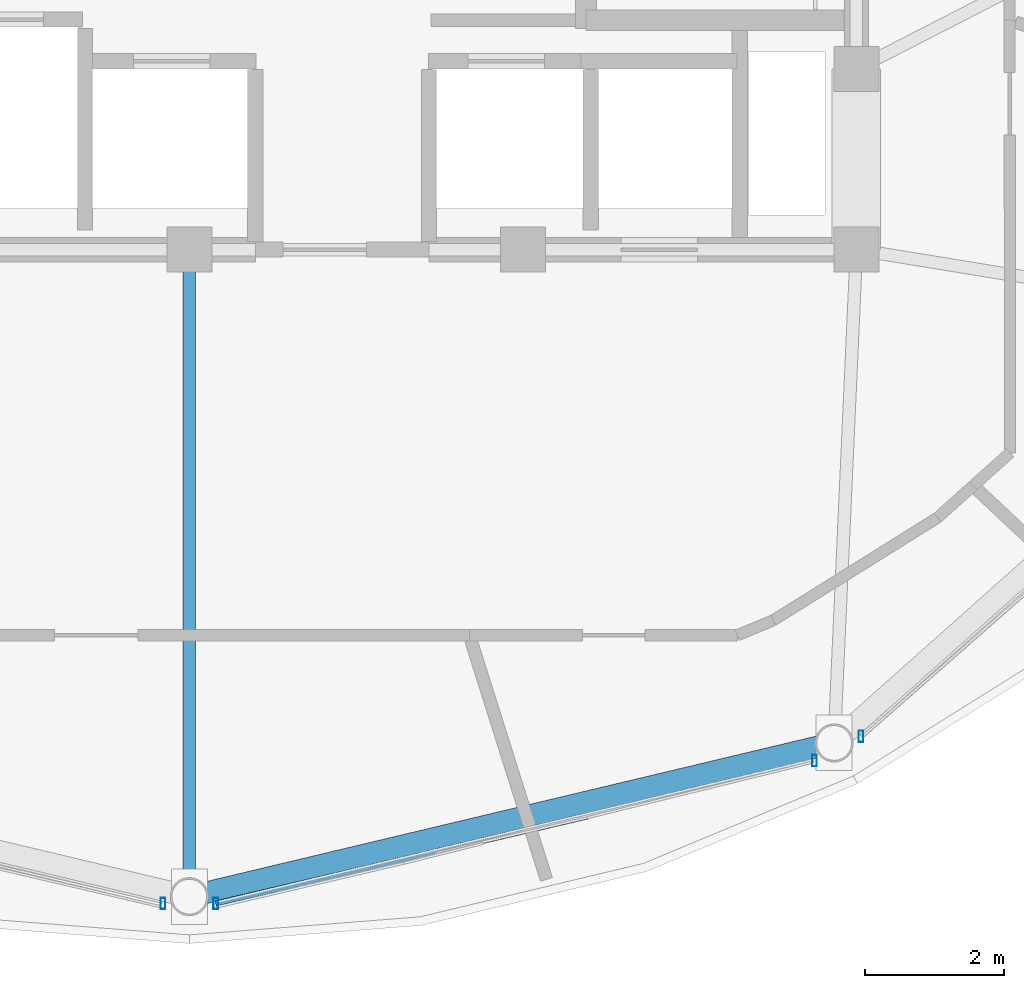
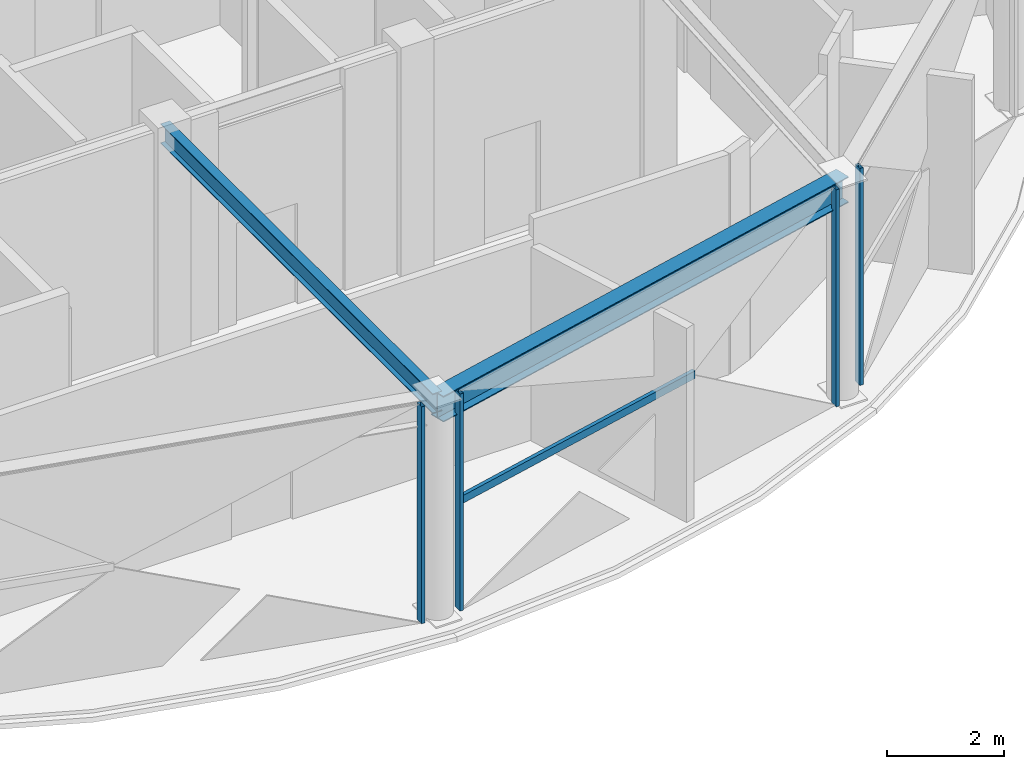
# One storey, part 5 of 22: 5 members, 2 beams, 3 elements without a shape of their own.
"""IFC4 building model written with IfcOpenShell, lengths in metres."""

from ifc_helpers import new_model, si_unit, direction, frame, origin, origin_2d, place, context, subcontext, project, spatial, hollow_rectangle, i_section, extrude, material, layer, layer_set, material_profile, profile_set, type_object, element, aggregate, save


model = new_model("IFC4")

# Units and contexts
model_context = context("Model", 3, precision=1e-05, world=origin(), true_north=direction((0.0, 1.0)))
body_context = subcontext(model_context, "Body", "Model", "MODEL_VIEW")
ifc_project = project(units=[si_unit("LENGTHUNIT", "METRE"), si_unit("AREAUNIT", "SQUARE_METRE"), si_unit("VOLUMEUNIT", "CUBIC_METRE"), si_unit("PLANEANGLEUNIT", "RADIAN"), si_unit("MASSUNIT", "GRAM", prefix="KILO")], contexts=[model_context])

# Site, building, storey
site_placement = place(None, origin())
site = spatial("IfcSite", under=ifc_project, at=site_placement, CompositionType="ELEMENT")
building_placement = place(site_placement, origin())
building = spatial("IfcBuilding", under=site, at=building_placement, Name="Vantalir Tower", CompositionType="ELEMENT")
storey_placement = place(building_placement, frame((0.0, 0.0, 294.89990234375)))
storey = spatial("IfcBuildingStorey", under=building, at=storey_placement, Name="L74", CompositionType="ELEMENT", Elevation=294.89990234375)

# Beams
ifc_material_1 = material(Name="Steel S355", Category="steel")
ifc_material_profile_1 = material_profile(ifc_material_1, i_section(OverallWidth=0.179931640625, OverallDepth=0.4130859375, WebThickness=0.009521484375, FlangeThickness=0.01611328125, at=origin_2d()), Name="Steel S355")
ifc_profile_set_1 = profile_set([ifc_material_profile_1], Name="Steel S355")
beam_type_1 = type_object("IfcBeamType", Name="BM-RB-406x178", PredefinedType="BEAM", material=ifc_profile_set_1)
beam_1_placement = place(storey_placement, frame((31.5, 8.488037109375, 4.4140625), z_axis=(0.0, 1.0, 0.0), x_axis=(-1.0, 0.0, 0.0)))
element("IfcBeam", 1, at=beam_1_placement, inside=storey, type_object=beam_type_1, Name="L74 Radial Floor Beam 10", PredefinedType="BEAM", context=body_context, shape_type="SweptSolid", body=[
    extrude(i_section(OverallWidth=0.179931640625, OverallDepth=0.4130859375, WebThickness=0.009521484375, FlangeThickness=0.01611328125, at=origin_2d()), origin(), (0.0, 0.0, 1.0), 9.31201171875),
])
ifc_material_2 = material(Name="Steel S460", Category="steel")
ifc_material_profile_2 = material_profile(ifc_material_2, i_section(OverallWidth=0.31201171875, OverallDepth=0.5419921875, WebThickness=0.0126953125, FlangeThickness=0.020263671875, at=origin_2d()), Name="Steel S460")
ifc_profile_set_2 = profile_set([ifc_material_profile_2], Name="Steel S460")
beam_type_2 = type_object("IfcBeamType", Name="BM-RG-533x312", PredefinedType="USERDEFINED", material=ifc_profile_set_2)
beam_2_placement = place(storey_placement, frame((31.5, 8.488037109375, 4.34912109375), z_axis=(0.972749896139, 0.231856937703, 0.0), x_axis=(-0.231856937703, 0.972749896139, 0.0)))
element("IfcBeam", 2, at=beam_2_placement, inside=storey, type_object=beam_type_2, Name="L74 Circumferential Ring Girder 10", ObjectType="GIRDER", PredefinedType="USERDEFINED", context=body_context, shape_type="SweptSolid", body=[
    extrude(i_section(OverallWidth=0.31201171875, OverallDepth=0.5419921875, WebThickness=0.0126953125, FlangeThickness=0.020263671875, at=origin_2d()), origin(), (0.0, 0.0, 1.0), 9.5400390625),
])

# Curtain wall, member
ifc_material_3 = material(Name="Champagne-silver PVDF aluminium and double-silver Low-E glass", Category="aluminium")
ifc_layer = layer(ifc_material_3, 0.219970703125)
ifc_layer_set = layer_set([ifc_layer], Name="Champagne-silver PVDF aluminium and double-silver Low-E glass")
curtain_wall_type = type_object("IfcCurtainWallType", Name="CW-DIAMOND-Z4", PredefinedType="USERDEFINED", material=ifc_layer_set)
curtain_wall_1_placement = place(storey_placement, origin())
curtain_wall_1 = element("IfcCurtainWall", 3, at=curtain_wall_1_placement, inside=storey, type_object=curtain_wall_type, Name="L74 Quilted Pyramid-Diamond Curtain Wall S09", ObjectType="UNITISED CURTAIN WALL", PredefinedType="USERDEFINED")
ifc_material_4 = material(Name="Champagne-silver PVDF aluminium 6063-T6", Category="aluminium")
ifc_material_profile_3 = material_profile(ifc_material_4, hollow_rectangle(XDim=0.070068359375, YDim=0.1650390625, WallThickness=0.00390625, at=origin_2d()), Name="Champagne-silver PVDF aluminium 6063-T6")
ifc_profile_set_3 = profile_set([ifc_material_profile_3], Name="Champagne-silver PVDF aluminium 6063-T6")
member_type_1 = type_object("IfcMemberType", Name="CWM-165x70", PredefinedType="MULLION", material=ifc_profile_set_3)
member_1_placement = place(storey_placement, frame((31.12109375, 8.388916015625, 0.045166015625), z_axis=(0.0, 0.0, 1.0), x_axis=(1.0, 0.0, 0.0)))
member_1 = element("IfcMember", 4, at=member_1_placement, type_object=member_type_1, Name="CW-L74-S09 Mullion 2", PredefinedType="MULLION", context=body_context, shape_type="SweptSolid", body=[
    extrude(hollow_rectangle(XDim=0.070068359375, YDim=0.1650390625, WallThickness=0.00390625, at=origin_2d()), origin(), (0.0, 0.0, 1.0), 4.530029296875),
])
aggregate(curtain_wall_1, [member_1])

# Curtain wall, members
curtain_wall_2_placement = place(storey_placement, origin())
curtain_wall_2 = element("IfcCurtainWall", 5, at=curtain_wall_2_placement, inside=storey, type_object=curtain_wall_type, Name="L74 Quilted Pyramid-Diamond Curtain Wall S10", ObjectType="UNITISED CURTAIN WALL", PredefinedType="USERDEFINED")
member_2_placement = place(storey_placement, frame((31.87890625, 8.388916015625, 0.045166015625), z_axis=(0.0, 0.0, 1.0), x_axis=(1.0, 0.0, 0.0)))
member_2 = element("IfcMember", 6, at=member_2_placement, type_object=member_type_1, Name="CW-L74-S10 Mullion 1", PredefinedType="MULLION", context=body_context, shape_type="SweptSolid", body=[
    extrude(hollow_rectangle(XDim=0.070068359375, YDim=0.1650390625, WallThickness=0.00390625, at=origin_2d()), origin(), (0.0, 0.0, 1.0), 4.530029296875),
])
member_3_placement = place(storey_placement, frame((40.49609375, 10.445068359375, 0.045166015625), z_axis=(0.0, 0.0, 1.0), x_axis=(1.0, 0.0, 0.0)))
member_3 = element("IfcMember", 7, at=member_3_placement, type_object=member_type_1, Name="CW-L74-S10 Mullion 2", PredefinedType="MULLION", context=body_context, shape_type="SweptSolid", body=[
    extrude(hollow_rectangle(XDim=0.070068359375, YDim=0.1650390625, WallThickness=0.00390625, at=origin_2d()), origin(), (0.0, 0.0, 1.0), 4.530029296875),
])

# Curtain wall, member
curtain_wall_3_placement = place(storey_placement, origin())
curtain_wall_3 = element("IfcCurtainWall", 8, at=curtain_wall_3_placement, inside=storey, type_object=curtain_wall_type, Name="L74 Quilted Pyramid-Diamond Curtain Wall S11", ObjectType="UNITISED CURTAIN WALL", PredefinedType="USERDEFINED")
member_4_placement = place(storey_placement, frame((41.166015625, 10.794921875, 0.045166015625), z_axis=(0.0, 0.0, 1.0), x_axis=(1.0, 0.0, 0.0)))
member_4 = element("IfcMember", 9, at=member_4_placement, type_object=member_type_1, Name="CW-L74-S11 Mullion 1", PredefinedType="MULLION", context=body_context, shape_type="SweptSolid", body=[
    extrude(hollow_rectangle(XDim=0.070068359375, YDim=0.1650390625, WallThickness=0.00390625, at=origin_2d()), origin(), (0.0, 0.0, 1.0), 4.530029296875),
])
aggregate(curtain_wall_3, [member_4])

# Member
ifc_material_profile_4 = material_profile(ifc_material_4, hollow_rectangle(XDim=0.074951171875, YDim=0.159912109375, WallThickness=0.00390625, at=origin_2d()), Name="Champagne-silver PVDF aluminium 6063-T6")
ifc_profile_set_4 = profile_set([ifc_material_profile_4], Name="Champagne-silver PVDF aluminium 6063-T6")
member_type_2 = type_object("IfcMemberType", Name="CWT-160x75", PredefinedType="USERDEFINED", material=ifc_profile_set_4)
member_5_placement = place(storey_placement, frame((31.87890625, 8.388916015625, 2.31005859375), z_axis=(0.973695518815, 0.227853103203, 0.0), x_axis=(-0.227853103203, 0.973695518815, 0.0)))
member_5 = element("IfcMember", 10, at=member_5_placement, type_object=member_type_2, Name="CW-L74-S10 Pyramid Fold Ridge Transom", ObjectType="TRANSOM", PredefinedType="USERDEFINED", context=body_context, shape_type="SweptSolid", body=[
    extrude(hollow_rectangle(XDim=0.074951171875, YDim=0.159912109375, WallThickness=0.00390625, at=origin_2d()), origin(), (0.0, 0.0, 1.0), 5.49560546875),
])

aggregate(curtain_wall_2, [member_2, member_3, member_5])

save(model, "model.ifc")
